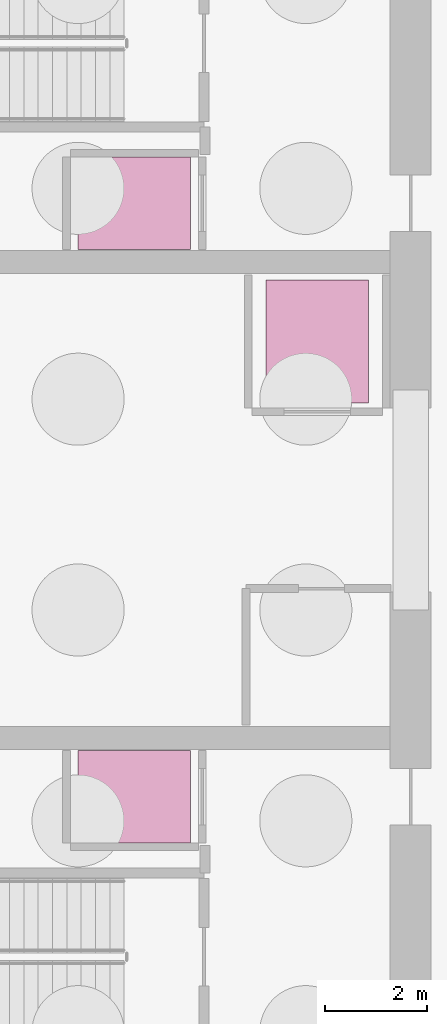
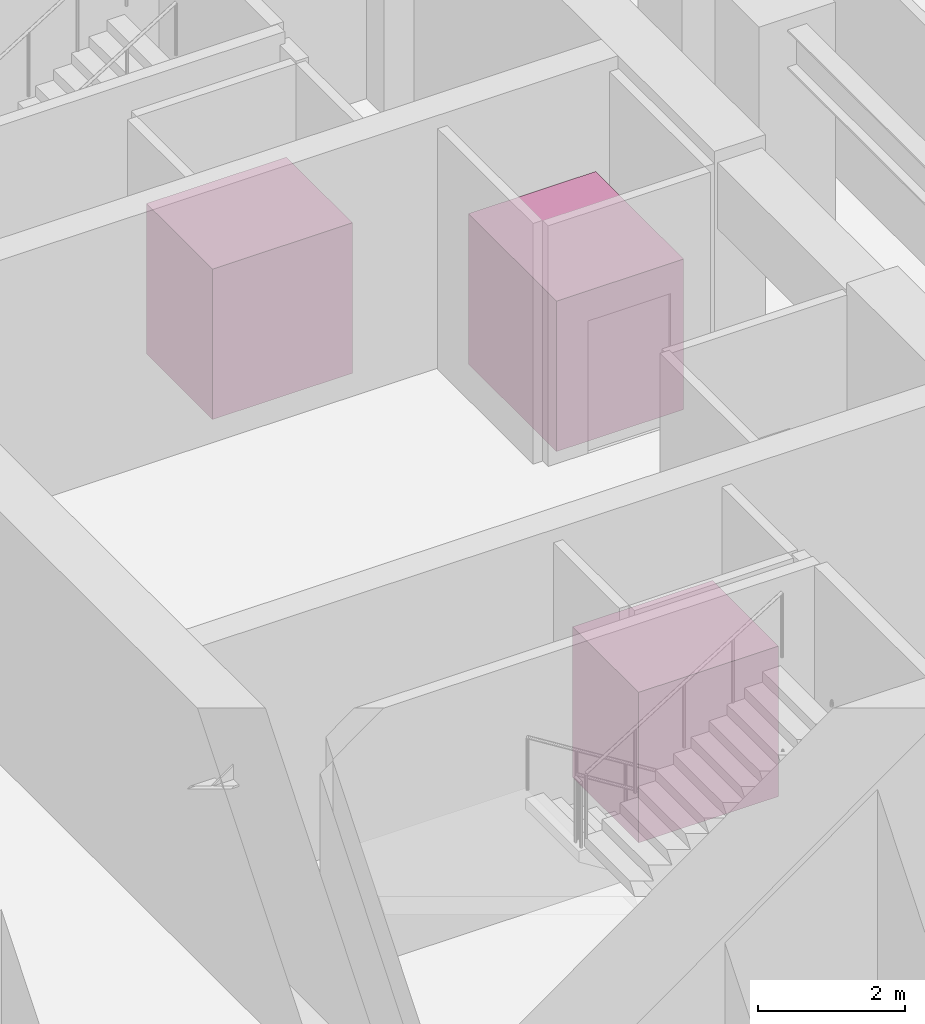
# One storey, part 6 of 6: 3 transport elements.
"""IFC4 building model written with IfcOpenShell, lengths in metres."""

from ifc_helpers import new_model, si_unit, direction, frame, origin, origin_2d, place, context, subcontext, project, spatial, rectangle, extrude, material, type_object, element, save


model = new_model("IFC4")

# Units and contexts
model_context = context("Model", 3, precision=1e-05, world=origin(), true_north=direction((0.0, 1.0)))
body_context = subcontext(model_context, "Body", "Model", "MODEL_VIEW")
ifc_project = project(units=[si_unit("LENGTHUNIT", "METRE"), si_unit("AREAUNIT", "SQUARE_METRE"), si_unit("VOLUMEUNIT", "CUBIC_METRE"), si_unit("PLANEANGLEUNIT", "RADIAN"), si_unit("MASSUNIT", "GRAM", prefix="KILO")], contexts=[model_context])

# Site, building, storey
site_placement = place(None, origin())
site = spatial("IfcSite", under=ifc_project, at=site_placement, CompositionType="ELEMENT")
building_placement = place(site_placement, origin())
building = spatial("IfcBuilding", under=site, at=building_placement, Name="Kinhvarn Gate Tower", CompositionType="ELEMENT")
storey_placement = place(building_placement, frame((0.0, 0.0, -13.199951171875)))
storey = spatial("IfcBuildingStorey", under=building, at=storey_placement, Name="B03", CompositionType="ELEMENT", Elevation=-13.199951171875)

# Transport elements
ifc_material = material(Name="Anodised aluminium AW-6063", Category="aluminium")
transport_element_type_1 = type_object("IfcTransportElementType", Name="LFT-FF-1600", PredefinedType="ELEVATOR", material=ifc_material)
for number, where, z_axis, x_axis, name in (
    (1, (12.199951171875, 19.449951171875, 0.0), (0.0, 0.0, 1.0), (0.0, 1.0, 0.0), "Firefighting Lift FF1 (FF1)"),
    (2, (12.199951171875, 31.050048828125, 0.0), (0.0, 0.0, 1.0), (0.0, 1.0, 0.0), "Firefighting Lift FF2 (FF2)"),
):
    element("IfcTransportElement", number, at=place(storey_placement, frame(where, z_axis=z_axis, x_axis=x_axis)), inside=storey, type_object=transport_element_type_1, Name=name, PredefinedType="ELEVATOR", context=body_context, shape_type="SweptSolid", body=[
        extrude(rectangle(XDim=1.800048828125, YDim=2.199951171875, at=origin_2d()), origin(), (0.0, 0.0, 1.0), 2.5),
    ])
transport_element_type_2 = type_object("IfcTransportElementType", Name="LFT-SRV-2500", PredefinedType="ELEVATOR", material=ifc_material)
transport_element_placement = place(storey_placement, frame((15.77490234375, 28.35009765625, 0.0), z_axis=(0.0, 0.0, 1.0), x_axis=(1.0, 0.0, 0.0)))
element("IfcTransportElement", 3, at=transport_element_placement, inside=storey, type_object=transport_element_type_2, Name="Service and Stretcher Lift SV-01 (SV-01)", PredefinedType="ELEVATOR", context=body_context, shape_type="SweptSolid", body=[
    extrude(rectangle(XDim=2.0, YDim=2.39990234375, at=origin_2d()), origin(), (0.0, 0.0, 1.0), 2.5),
])

save(model, "model.ifc")
